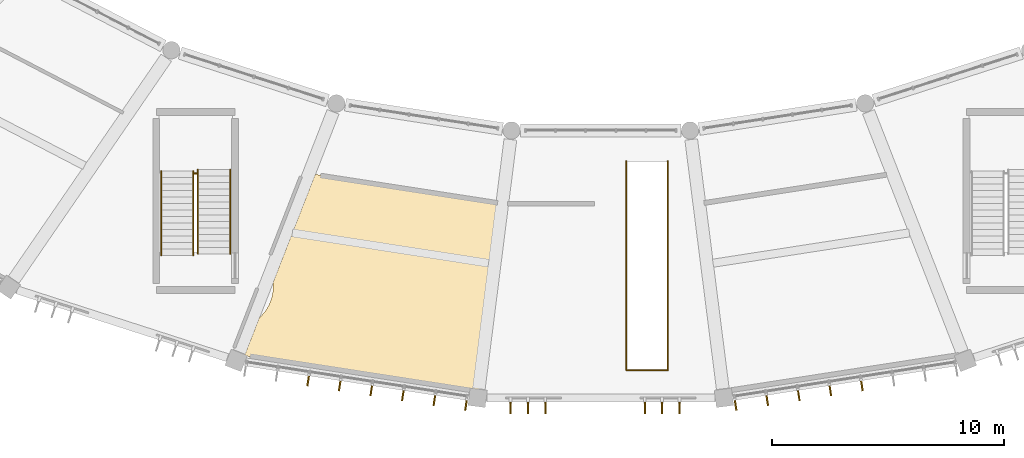
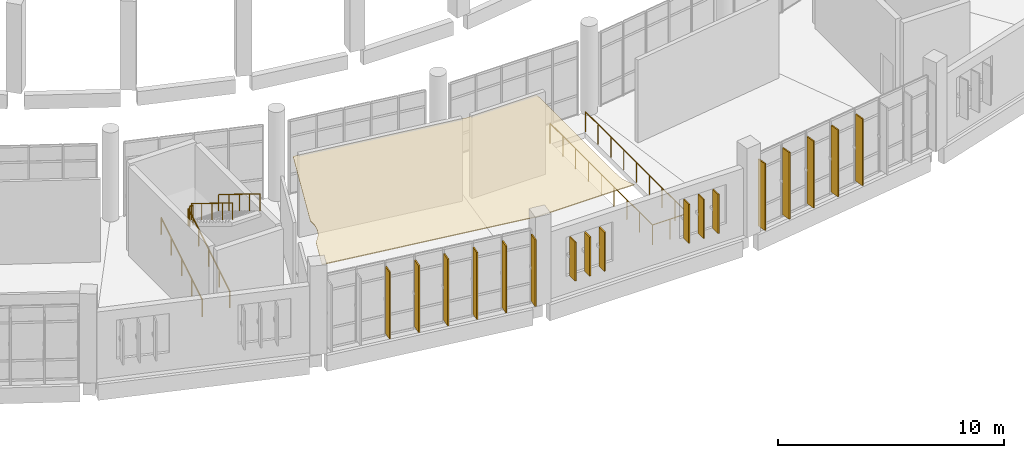
# One storey, part 153 of 179: 17 shading devices, 8 railings, 1 covering.
"""IFC4 building model written with IfcOpenShell, lengths in metres."""

import ifcopenshell
import ifcopenshell.guid

model = None  # the IFC model being written
_history = None  # IfcOwnerHistory: only IFC2X3 demands one
_inside = {}  # id of a spatial element -> (the spatial element, [elements in it])
_under = {}  # id of a project, library or spatial element -> (it, [spatial elements below it])
_declared = {}  # id of a project -> (the project, [libraries it declares])
_typed = {}  # id of a type object -> (the type object, [elements of that type])
_made_of = {}  # id of a material, layer set ... -> (it, [elements and type objects made of it])


def new_model(schema):
    """Start an empty IFC model of exactly this schema.

    Asked for "IFC4X3", IfcOpenShell would pick the latest addendum, in which some entities
    have other attributes; the version numbers below select the first issue.
    IFC2X3 requires an IfcOwnerHistory on every rooted entity: one is made here for all.
    """
    global model, _history
    if schema == "IFC4X3":
        model = ifcopenshell.file(schema_version=(4, 3, 0, 0))
    else:
        model = ifcopenshell.file(schema=schema)
    _inside.clear()
    _under.clear()
    _declared.clear()
    _typed.clear()
    _made_of.clear()
    _history = None
    if model.schema == "IFC2X3":
        org = make("IfcOrganization", Name="unknown")
        user = make(
            "IfcPersonAndOrganization",
            ThePerson=make("IfcPerson", FamilyName="unknown"),
            TheOrganization=org,
        )
        app = make(
            "IfcApplication",
            ApplicationDeveloper=org,
            Version="unknown",
            ApplicationFullName="unknown",
            ApplicationIdentifier="unknown",
        )
        _history = make(
            "IfcOwnerHistory",
            OwningUser=user,
            OwningApplication=app,
            ChangeAction="ADDED",
            CreationDate=0,
        )
    return model


def make(cls, **values):
    """One entity of the class cls with the attributes given. An attribute that is None is left unset."""
    return model.create_entity(
        cls, **{name: value for name, value in values.items() if value is not None}
    )


def rooted(cls, **values):
    """An entity with a GlobalId (a new one), such as an element, a storey or a relation."""
    return make(cls, GlobalId=ifcopenshell.guid.new(), OwnerHistory=_history, **values)


def si_unit(unit_type, name, prefix=None):
    """IfcSIUnit, for example si_unit("LENGTHUNIT", "METRE", prefix="MILLI")."""
    return make("IfcSIUnit", UnitType=unit_type, Prefix=prefix, Name=name)


def assignment(units):
    """IfcUnitAssignment: the units of a project."""
    return None if units is None else make("IfcUnitAssignment", Units=units)


def point(xyz):
    """IfcCartesianPoint."""
    return None if xyz is None else make("IfcCartesianPoint", Coordinates=xyz)


def direction(xyz):
    """IfcDirection."""
    return None if xyz is None else make("IfcDirection", DirectionRatios=xyz)


def frame(location, z_axis=None, x_axis=None):
    """IfcAxis2Placement3D, a coordinate frame: its origin and axes. An axis left out is left unset."""
    return make(
        "IfcAxis2Placement3D",
        Location=point(location),
        Axis=direction(z_axis),
        RefDirection=direction(x_axis),
    )


def frame_2d(location, x_axis=None):
    """IfcAxis2Placement2D, a coordinate frame in the plane: its origin and x axis."""
    return make(
        "IfcAxis2Placement2D", Location=point(location), RefDirection=direction(x_axis)
    )


def origin():
    """The frame at (0, 0, 0) with its axes left unset."""
    return frame((0.0, 0.0, 0.0))


def origin_2d():
    """The frame at (0, 0) in the plane with its x axis left unset."""
    return frame_2d((0.0, 0.0))


def place(relative_to, where):
    """IfcLocalPlacement: puts the frame where relative to a parent placement (None: the world)."""
    return make(
        "IfcLocalPlacement", PlacementRelTo=relative_to, RelativePlacement=where
    )


def context(
    kind, dimensions, precision=None, world=None, true_north=None, identifier=None
):
    """IfcGeometricRepresentationContext, for example the 3D "Model" context."""
    return make(
        "IfcGeometricRepresentationContext",
        ContextIdentifier=identifier,
        ContextType=kind,
        CoordinateSpaceDimension=dimensions,
        Precision=precision,
        WorldCoordinateSystem=world,
        TrueNorth=true_north,
    )


def subcontext(parent, identifier, kind, view, scale=None):
    """IfcGeometricRepresentationSubContext, for example "Body" below "Model"."""
    return make(
        "IfcGeometricRepresentationSubContext",
        ContextIdentifier=identifier,
        ContextType=kind,
        ParentContext=parent,
        TargetScale=scale,
        TargetView=view,
    )


def project(units=None, contexts=None):
    """IfcProject with its units and contexts."""
    return rooted(
        "IfcProject",
        Name="project",
        RepresentationContexts=contexts,
        UnitsInContext=assignment(units),
    )


def spatial(cls, under=None, at=None, **own):
    """A site, building, storey or space (cls), placed at a placement, below another one or the project."""
    s = rooted(cls, ObjectPlacement=at, **own)
    if under is not None:
        _under.setdefault(under.id(), (under, []))[1].append(s)
    return s


def polyline(points):
    """IfcPolyline through the points."""
    return make("IfcPolyline", Points=[point(p) for p in points])


def profile(cls, at=None, kind="AREA", **sizes):
    """A parametric profile (cls). Its sizes go by their IFC names, for example OverallWidth=200.0."""
    return make(cls, ProfileType=kind, Position=at, **sizes)


def rectangle(**sizes):
    """IfcRectangleProfileDef."""
    return profile("IfcRectangleProfileDef", **sizes)


def circle(**sizes):
    """IfcCircleProfileDef."""
    return profile("IfcCircleProfileDef", **sizes)


def outline(outer, holes=None, kind="AREA"):
    """IfcArbitraryClosedProfileDef: a profile drawn as a closed curve; with holes, ...WithVoids."""
    if holes is None:
        return make("IfcArbitraryClosedProfileDef", ProfileType=kind, OuterCurve=outer)
    return make(
        "IfcArbitraryProfileDefWithVoids",
        ProfileType=kind,
        OuterCurve=outer,
        InnerCurves=holes,
    )


def extrude(swept, where, along, depth):
    """IfcExtrudedAreaSolid: the profile swept, set in the frame where, extruded along a direction by depth."""
    return make(
        "IfcExtrudedAreaSolid",
        SweptArea=swept,
        Position=where,
        ExtrudedDirection=direction(along),
        Depth=depth,
    )


def shape(context_of_items, identifier, shape_type, items):
    """IfcShapeRepresentation: the items that make up one representation, for example the "Body"."""
    return make(
        "IfcShapeRepresentation",
        ContextOfItems=context_of_items,
        RepresentationIdentifier=identifier,
        RepresentationType=shape_type,
        Items=items,
    )


def material(Name=None, Category=None):
    """IfcMaterial."""
    return make("IfcMaterial", Name=Name, Category=Category)


def layer(
    of_material, thickness, ventilated=None, Name=None, Category=None, Priority=None
):
    """IfcMaterialLayer: one layer of a wall or slab, of a material (None: an air gap)."""
    return make(
        "IfcMaterialLayer",
        Material=of_material,
        LayerThickness=thickness,
        IsVentilated=ventilated,
        Name=Name,
        Category=Category,
        Priority=Priority,
    )


def layer_set(layers, Name=None):
    """IfcMaterialLayerSet."""
    return make("IfcMaterialLayerSet", MaterialLayers=layers, LayerSetName=Name)


def made_of(thing, what):
    """Note that an element or type object is made of a material, layer set ...; save() writes the relation."""
    if what is not None:
        _made_of.setdefault(what.id(), (what, []))[1].append(thing)
    return thing


def type_object(cls, material=None, **own):
    """A type object (cls), such as IfcWallType, which elements share."""
    return made_of(rooted(cls, **own), material)


def element(
    cls,
    number,
    at=None,
    inside=None,
    cuts=None,
    type_object=None,
    material=None,
    context=None,
    identifier="Body",
    shape_type=None,
    held_by="IfcProductDefinitionShape",
    body=None,
    shapes=None,
    **own,
):
    """One element of the class cls, such as IfcWall. Its Tag is "e" and its number.

    at: its placement. inside: the storey or other place that contains it. cuts: it is an
    opening in that element (IfcRelVoidsElement). A single representation is given by context,
    identifier, shape_type and body (its items); several are given by shapes. held_by: the class
    of the entity that holds the representations. save() writes the other relations.
    """
    e = rooted(cls, Tag="e%d" % number, ObjectPlacement=at, **own)
    if body is not None:
        shapes = [shape(context, identifier, shape_type, body)]
    if shapes is not None:
        e.Representation = make(held_by, Representations=shapes)
    if inside is not None:
        _inside.setdefault(inside.id(), (inside, []))[1].append(e)
    if cuts is not None:
        rooted(
            "IfcRelVoidsElement", RelatingBuildingElement=cuts, RelatedOpeningElement=e
        )
    if type_object is not None:
        _typed.setdefault(type_object.id(), (type_object, []))[1].append(e)
    return made_of(e, material)


def aggregate(whole, parts):
    """IfcRelAggregates: a whole, such as a stair, and the parts it consists of."""
    return rooted("IfcRelAggregates", RelatingObject=whole, RelatedObjects=parts)


def save(model, path):
    """Write the relations noted so far, then the file.

    IfcRelAggregates (storeys below a building ...), IfcRelContainedInSpatialStructure (elements
    in a storey), IfcRelDefinesByType, IfcRelAssociatesMaterial and IfcRelDeclares: one each for
    every whole, place, type object, material and project.
    """
    for whole, parts in _under.values():
        aggregate(whole, parts)
    for where, things in _inside.values():
        rooted(
            "IfcRelContainedInSpatialStructure",
            RelatedElements=things,
            RelatingStructure=where,
        )
    for kind, things in _typed.values():
        rooted("IfcRelDefinesByType", RelatedObjects=things, RelatingType=kind)
    for what, things in _made_of.values():
        rooted("IfcRelAssociatesMaterial", RelatedObjects=things, RelatingMaterial=what)
    for by, libraries in _declared.values():
        rooted("IfcRelDeclares", RelatingContext=by, RelatedDefinitions=libraries)
    model.write(path)


model = new_model("IFC4")

# Units and contexts
model_context = context("Model", 3, precision=1e-05, world=origin(), true_north=direction((0.0, 1.0)))
body_context = subcontext(model_context, "Body", "Model", "MODEL_VIEW")
ifc_project = project(units=[si_unit("LENGTHUNIT", "METRE"), si_unit("AREAUNIT", "SQUARE_METRE"), si_unit("VOLUMEUNIT", "CUBIC_METRE"), si_unit("PLANEANGLEUNIT", "RADIAN"), si_unit("MASSUNIT", "GRAM", prefix="KILO")], contexts=[model_context])

# Site, building, storey
site_placement = place(None, origin())
site = spatial("IfcSite", under=ifc_project, at=site_placement, CompositionType="ELEMENT")
building_placement = place(site_placement, origin())
building = spatial("IfcBuilding", under=site, at=building_placement, Name="Corvandel Quay Wholesale Market", CompositionType="ELEMENT")
storey_placement = place(building_placement, frame((0.0, 0.0, 6.0)))
storey = spatial("IfcBuildingStorey", under=building, at=storey_placement, Name="L01", CompositionType="ELEMENT", Elevation=6.0)

# Railings
ifc_material_1 = material(Name="Painted galvanised tubular steel", Category="steel")
ifc_layer_1 = layer(ifc_material_1, 0.054931640625)
ifc_layer_set_1 = layer_set([ifc_layer_1], Name="Painted galvanised tubular steel")
railing_type_1 = type_object("IfcRailingType", Name="Stairwell Inner Guard Railing GR02 1100mm", PredefinedType="GUARDRAIL", material=ifc_layer_set_1)
railing_1_placement = place(storey_placement, frame((96.419921875, 9.68994140625, 2.39990234375)))
element("IfcRailing", 1, at=railing_1_placement, inside=storey, type_object=railing_type_1, Name="Stair Landing Well Guard 0033", PredefinedType="GUARDRAIL", context=body_context, shape_type="SweptSolid", body=[
    extrude(circle(Radius=0.02392578125, at=origin_2d()), frame((0.0, 0.0, 1.076171875), z_axis=(1.0, 0.0, 0.0), x_axis=(0.0, 1.0, 0.0)), (0.0, 0.0, 1.0), 0.16015625),
    extrude(circle(Radius=0.02099609375, at=origin_2d()), origin(), (0.0, 0.0, 1.0), 1.052001953125),
    extrude(circle(Radius=0.02099609375, at=origin_2d()), frame((0.16015625, 0.0, 0.0)), (0.0, 0.0, 1.0), 1.052001953125),
])
for number, where, name in (
    (2, (115.10009765625, 1.199951171875, 0.0), "Feature Stair Well Guard 0228"),
    (3, (116.89990234375, 1.199951171875, 0.0), "Feature Stair Well Guard 0229"),
):
    element("IfcRailing", number, at=place(storey_placement, frame(where)), inside=storey, type_object=railing_type_1, Name=name, PredefinedType="GUARDRAIL", context=body_context, shape_type="SweptSolid", body=[
        extrude(circle(Radius=0.02392578125, at=origin_2d()), frame((0.0, 0.0, 1.076171875), z_axis=(0.0, 1.0, 0.0), x_axis=(-1.0, 0.0, 0.0)), (0.0, 0.0, 1.0), 9.030029296875),
        extrude(circle(Radius=0.02099609375, at=origin_2d()), origin(), (0.0, 0.0, 1.0), 1.052001953125),
        extrude(circle(Radius=0.02099609375, at=origin_2d()), frame((0.0, 1.128662109375, 0.0)), (0.0, 0.0, 1.0), 1.052001953125),
        extrude(circle(Radius=0.02099609375, at=origin_2d()), frame((0.0, 2.257568359375, 0.0)), (0.0, 0.0, 1.0), 1.052001953125),
        extrude(circle(Radius=0.02099609375, at=origin_2d()), frame((0.0, 3.38623046875, 0.0)), (0.0, 0.0, 1.0), 1.052001953125),
        extrude(circle(Radius=0.02099609375, at=origin_2d()), frame((0.0, 4.51513671875, 0.0)), (0.0, 0.0, 1.0), 1.052001953125),
        extrude(circle(Radius=0.02099609375, at=origin_2d()), frame((0.0, 5.643798828125, 0.0)), (0.0, 0.0, 1.0), 1.052001953125),
        extrude(circle(Radius=0.02099609375, at=origin_2d()), frame((0.0, 6.7724609375, 0.0)), (0.0, 0.0, 1.0), 1.052001953125),
        extrude(circle(Radius=0.02099609375, at=origin_2d()), frame((0.0, 7.9013671875, 0.0)), (0.0, 0.0, 1.0), 1.052001953125),
        extrude(circle(Radius=0.02099609375, at=origin_2d()), frame((0.0, 9.030029296875, 0.0)), (0.0, 0.0, 1.0), 1.052001953125),
    ])
railing_2_placement = place(storey_placement, frame((115.10009765625, 1.199951171875, 0.0)))
element("IfcRailing", 4, at=railing_2_placement, inside=storey, type_object=railing_type_1, Name="Feature Stair Well Guard 0230", PredefinedType="GUARDRAIL", context=body_context, shape_type="SweptSolid", body=[
    extrude(circle(Radius=0.02392578125, at=origin_2d()), frame((0.0, 0.0, 1.076171875), z_axis=(1.0, 0.0, 0.0), x_axis=(0.0, 1.0, 0.0)), (0.0, 0.0, 1.0), 1.7998046875),
    extrude(circle(Radius=0.02099609375, at=origin_2d()), origin(), (0.0, 0.0, 1.0), 1.052001953125),
    extrude(circle(Radius=0.02099609375, at=origin_2d()), frame((0.89990234375, 0.0, 0.0)), (0.0, 0.0, 1.0), 1.052001953125),
    extrude(circle(Radius=0.02099609375, at=origin_2d()), frame((1.7998046875, 0.0, 0.0)), (0.0, 0.0, 1.0), 1.052001953125),
])
ifc_material_2 = material(Name="Brushed austenitic stainless steel Grade 316", Category="steel")
ifc_layer_2 = layer(ifc_material_2, 0.048095703125)
ifc_layer_set_2 = layer_set([ifc_layer_2], Name="Brushed austenitic stainless steel Grade 316")
railing_type_2 = type_object("IfcRailingType", Name="Tubular Stainless Stair Handrail HR01 915mm", PredefinedType="HANDRAIL", material=ifc_layer_set_2)
for number, where, name in (
    (5, (95.010009765625, 6.14990234375, 0.17138671875), "Stair Handrail 0029"),
    (6, (96.39990234375, 6.14990234375, 0.17138671875), "Stair Handrail 0030"),
):
    element("IfcRailing", number, at=place(storey_placement, frame(where)), inside=storey, type_object=railing_type_2, Name=name, PredefinedType="HANDRAIL", context=body_context, shape_type="SweptSolid", body=[
        extrude(circle(Radius=0.02392578125, at=origin_2d()), frame((0.0, 0.0, 0.89111328125), z_axis=(0.0, 0.852865859571, 0.52213008492), x_axis=(-1.0, 0.0, 0.0)), (0.0, 0.0, 1.0), 4.26806640625),
        extrude(circle(Radius=0.02099609375, at=origin_2d()), origin(), (0.0, 0.0, 1.0), 0.866943359375),
        extrude(circle(Radius=0.02099609375, at=origin_2d()), frame((0.0, 0.91015625, 0.55712890625)), (0.0, 0.0, 1.0), 0.866943359375),
        extrude(circle(Radius=0.02099609375, at=origin_2d()), frame((0.0, 1.820068359375, 1.1142578125)), (0.0, 0.0, 1.0), 0.866943359375),
        extrude(circle(Radius=0.02099609375, at=origin_2d()), frame((0.0, 2.72998046875, 1.67138671875)), (0.0, 0.0, 1.0), 0.866943359375),
        extrude(circle(Radius=0.02099609375, at=origin_2d()), frame((0.0, 3.64013671875, 2.228515625)), (0.0, 0.0, 1.0), 0.866943359375),
    ])
for number, where, name in (
    (7, (96.60009765625, 9.860107421875, 2.5712890625), "Stair Handrail 0031"),
    (8, (97.989990234375, 9.860107421875, 2.5712890625), "Stair Handrail 0032"),
):
    element("IfcRailing", number, at=place(storey_placement, frame(where)), inside=storey, type_object=railing_type_2, Name=name, PredefinedType="HANDRAIL", context=body_context, shape_type="SweptSolid", body=[
        extrude(circle(Radius=0.02392578125, at=origin_2d()), frame((0.0, 0.0, 0.89111328125), z_axis=(0.0, -0.852840387347, 0.522171689878), x_axis=(1.0, 0.0, 0.0)), (0.0, 0.0, 1.0), 4.268310546875),
        extrude(circle(Radius=0.02099609375, at=origin_2d()), origin(), (0.0, 0.0, 1.0), 0.866943359375),
        extrude(circle(Radius=0.02099609375, at=origin_2d()), frame((0.0, -0.91015625, 0.55712890625)), (0.0, 0.0, 1.0), 0.866943359375),
        extrude(circle(Radius=0.02099609375, at=origin_2d()), frame((0.0, -1.820068359375, 1.1142578125)), (0.0, 0.0, 1.0), 0.866943359375),
        extrude(circle(Radius=0.02099609375, at=origin_2d()), frame((0.0, -2.72998046875, 1.671630859375)), (0.0, 0.0, 1.0), 0.866943359375),
        extrude(circle(Radius=0.02099609375, at=origin_2d()), frame((0.0, -3.64013671875, 2.228759765625)), (0.0, 0.0, 1.0), 0.866943359375),
    ])

# Shading devices
ifc_material_3 = material(Name="Bronze anodised extruded aluminium 6063-T6", Category="aluminium")
shading_device_type = type_object("IfcShadingDeviceType", Name="Vertical Anodised Bronze Solar Fin FN01 480mm", PredefinedType="JALOUSIE", material=ifc_material_3)
for number, where, z_axis, x_axis, name in (
    (9, (101.362060546875, 0.747802734375, 0.175048828125), (0.0, 0.0, 1.0), (0.152813355565, 0.98825506746, 0.0), "Solar Fin 0134"),
    (10, (102.725341796875, 0.536865234375, 0.175048828125), (0.0, 0.0, 1.0), (0.152813355565, 0.98825506746, 0.0), "Solar Fin 0135"),
    (11, (104.08837890625, 0.325927734375, 0.175048828125), (0.0, 0.0, 1.0), (0.152813355565, 0.98825506746, 0.0), "Solar Fin 0136"),
    (12, (105.45166015625, 0.114990234375, 0.175048828125), (0.0, 0.0, 1.0), (0.152813355565, 0.98825506746, 0.0), "Solar Fin 0137"),
    (13, (106.81494140625, -0.095703125, 0.175048828125), (0.0, 0.0, 1.0), (0.152813355565, 0.98825506746, 0.0), "Solar Fin 0138"),
    (14, (108.17822265625, -0.306640625, 0.175048828125), (0.0, 0.0, 1.0), (0.152813355565, 0.98825506746, 0.0), "Solar Fin 0139"),
):
    element("IfcShadingDevice", number, at=place(storey_placement, frame(where, z_axis=z_axis, x_axis=x_axis)), inside=storey, type_object=shading_device_type, Name=name, PredefinedType="JALOUSIE", context=body_context, shape_type="SweptSolid", body=[
        extrude(rectangle(XDim=0.47998046875, YDim=0.06494140625, at=origin_2d()), origin(), (0.0, 0.0, 1.0), 3.60009765625),
    ])
for number, where, z_axis, x_axis, name in (
    (15, (110.10107421875, -0.43994140625, 0.949951171875), (0.0, 0.0, 1.0), (0.0, 1.0, 0.0), "Solar Fin 0142"),
    (16, (110.85107421875, -0.43994140625, 0.949951171875), (0.0, 0.0, 1.0), (0.0, 1.0, 0.0), "Solar Fin 0143"),
    (17, (111.60107421875, -0.43994140625, 0.949951171875), (0.0, 0.0, 1.0), (0.0, 1.0, 0.0), "Solar Fin 0144"),
    (18, (115.89892578125, -0.43994140625, 0.949951171875), (0.0, 0.0, 1.0), (0.0, 1.0, 0.0), "Solar Fin 0145"),
    (19, (116.64892578125, -0.43994140625, 0.949951171875), (0.0, 0.0, 1.0), (0.0, 1.0, 0.0), "Solar Fin 0146"),
    (20, (117.39892578125, -0.43994140625, 0.949951171875), (0.0, 0.0, 1.0), (0.0, 1.0, 0.0), "Solar Fin 0147"),
):
    element("IfcShadingDevice", number, at=place(storey_placement, frame(where, z_axis=z_axis, x_axis=x_axis)), inside=storey, type_object=shading_device_type, Name=name, PredefinedType="JALOUSIE", context=body_context, shape_type="SweptSolid", body=[
        extrude(rectangle(XDim=0.47998046875, YDim=0.06494140625, at=origin_2d()), origin(), (0.0, 0.0, 1.0), 2.10009765625),
    ])
for number, where, z_axis, x_axis, name in (
    (21, (119.82177734375, -0.306640625, 0.175048828125), (0.0, 0.0, 1.0), (-0.152813355565, 0.98825506746, 0.0), "Solar Fin 0150"),
    (22, (121.18505859375, -0.095703125, 0.175048828125), (0.0, 0.0, 1.0), (-0.152813355565, 0.98825506746, 0.0), "Solar Fin 0151"),
    (23, (122.54833984375, 0.114990234375, 0.175048828125), (0.0, 0.0, 1.0), (-0.152813355565, 0.98825506746, 0.0), "Solar Fin 0152"),
    (24, (123.91162109375, 0.325927734375, 0.175048828125), (0.0, 0.0, 1.0), (-0.152813355565, 0.98825506746, 0.0), "Solar Fin 0153"),
    (25, (125.274658203125, 0.536865234375, 0.175048828125), (0.0, 0.0, 1.0), (-0.152813355565, 0.98825506746, 0.0), "Solar Fin 0154"),
):
    element("IfcShadingDevice", number, at=place(storey_placement, frame(where, z_axis=z_axis, x_axis=x_axis)), inside=storey, type_object=shading_device_type, Name=name, PredefinedType="JALOUSIE", context=body_context, shape_type="SweptSolid", body=[
        extrude(rectangle(XDim=0.47998046875, YDim=0.06494140625, at=origin_2d()), origin(), (0.0, 0.0, 1.0), 3.60009765625),
    ])

# Covering
ifc_material_4 = material(Name="Moisture-resistant washable PVC-faced gypsum board")
ifc_layer_3 = layer(ifc_material_4, 0.0400390625)
ifc_layer_set_3 = layer_set([ifc_layer_3], Name="Moisture-resistant washable PVC-faced gypsum board")
covering_type = type_object("IfcCoveringType", Name="Washable Hygienic Market Ceiling CLG02", PredefinedType="CEILING", material=ifc_layer_set_3)
covering_placement = place(storey_placement, frame((0.0, 0.0, 4.31005859375)))
element("IfcCovering", 26, at=covering_placement, inside=storey, type_object=covering_type, Name="Suspended Ceiling CLG-003", PredefinedType="CEILING", context=body_context, shape_type="SweptSolid", body=[
    extrude(outline(polyline([(98.632080078125, 1.818115234375), (98.6298828125, 1.818115234375), (98.6279296875, 1.819091796875), (98.626953125, 1.820068359375), (98.625, 1.821044921875), (98.623046875, 1.822021484375), (98.6220703125, 1.823974609375), (98.62109375, 1.824951171875), (98.6201171875, 1.826904296875), (98.618896484375, 1.8291015625), (98.617919921875, 1.8310546875), (98.617919921875, 1.8330078125), (98.616943359375, 1.8349609375), (98.616943359375, 1.8359375), (98.616943359375, 1.837890625), (98.616943359375, 1.840087890625), (98.617919921875, 1.842041015625), (98.617919921875, 1.843994140625), (99.248046875, 3.4599609375), (99.322998046875, 3.527099609375), (99.44091796875, 3.657958984375), (99.547119140625, 3.800048828125), (99.636962890625, 3.950927734375), (99.712890625, 4.111083984375), (99.77197265625, 4.277099609375), (99.81494140625, 4.448974609375), (99.841064453125, 4.6240234375), (99.85009765625, 4.800048828125), (99.85009765625, 5.0029296875), (101.656982421875, 9.638916015625), (101.657958984375, 9.64111328125), (101.658935546875, 9.64306640625), (101.659912109375, 9.64404296875), (101.660888671875, 9.64599609375), (101.6630859375, 9.64697265625), (101.6640625, 9.64794921875), (101.666015625, 9.64892578125), (101.66796875, 9.64990234375), (101.669921875, 9.65087890625), (101.6708984375, 9.65087890625), (101.673095703125, 9.652099609375), (101.675048828125, 9.652099609375), (101.677001953125, 9.652099609375), (101.678955078125, 9.652099609375), (109.760986328125, 8.403076171875), (113.35009765625, 8.403076171875), (113.35009765625, 1.25), (113.35888671875, 1.073974609375), (113.385009765625, 0.89892578125), (113.427978515625, 0.72705078125), (113.487060546875, 0.56103515625), (113.56298828125, 0.40087890625), (113.64697265625, 0.260009765625), (108.702880859375, 0.260009765625), (108.700927734375, 0.260009765625), (108.699951171875, 0.260009765625), (98.634033203125, 1.81689453125), (98.632080078125, 1.818115234375)])), origin(), (0.0, 0.0, 1.0), 0.044921875),
])

save(model, "model.ifc")
